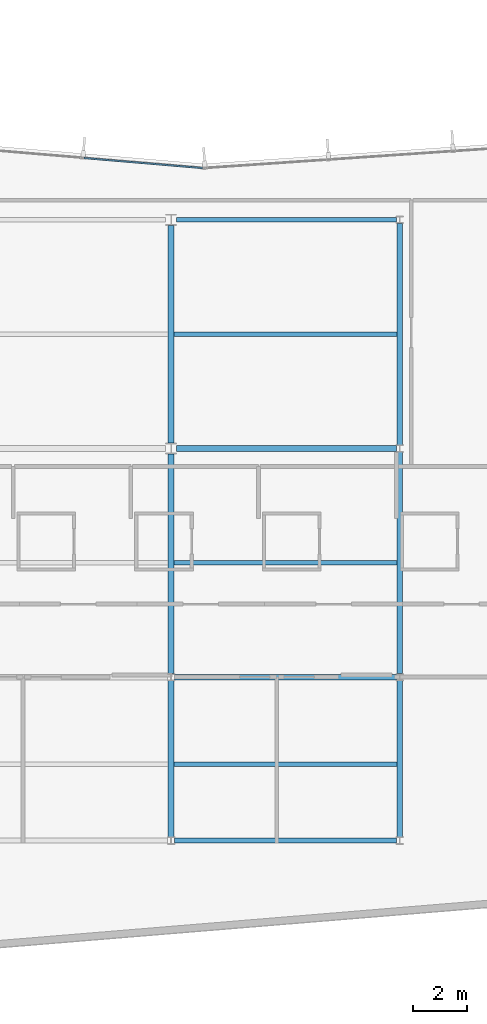
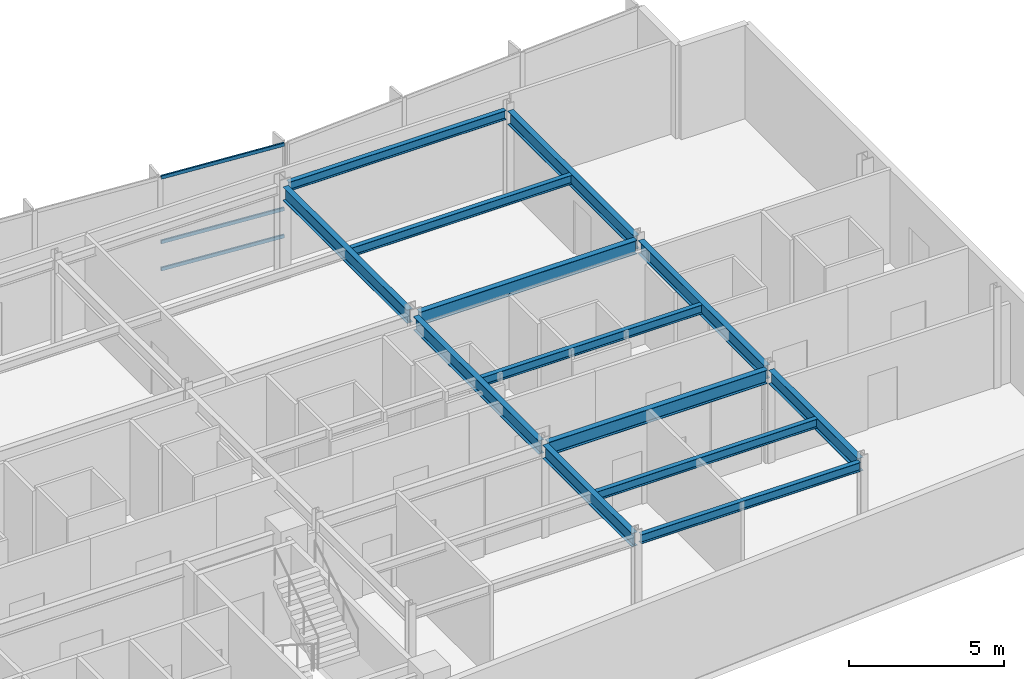
# One storey, part 6 of 15: 13 beams, 3 members, 1 element without a shape of its own.
"""IFC4 building model written with IfcOpenShell, lengths in metres."""

from ifc_helpers import new_model, si_unit, direction, frame, origin, origin_2d, place, context, subcontext, project, spatial, hollow_rectangle, i_section, extrude, material, layer, layer_set, material_profile, profile_set, type_object, element, aggregate, save


model = new_model("IFC4")

# Units and contexts
model_context = context("Model", 3, precision=1e-05, world=origin(), true_north=direction((0.0, 1.0)))
body_context = subcontext(model_context, "Body", "Model", "MODEL_VIEW")
ifc_project = project(units=[si_unit("LENGTHUNIT", "METRE"), si_unit("AREAUNIT", "SQUARE_METRE"), si_unit("VOLUMEUNIT", "CUBIC_METRE"), si_unit("PLANEANGLEUNIT", "RADIAN"), si_unit("MASSUNIT", "GRAM", prefix="KILO")], contexts=[model_context])

# Site, building, storey
site_placement = place(None, origin())
site = spatial("IfcSite", under=ifc_project, at=site_placement, CompositionType="ELEMENT")
building_placement = place(site_placement, origin())
building = spatial("IfcBuilding", under=site, at=building_placement, Name="Varnakote Quay Hospital", CompositionType="ELEMENT")
storey_placement = place(building_placement, frame((0.0, 0.0, 231.60009765625)))
storey = spatial("IfcBuildingStorey", under=building, at=storey_placement, Name="L57", CompositionType="ELEMENT", Elevation=231.60009765625)

# Beams
ifc_material_1 = material(Name="Structural steel AS/NZS 3679.1 Grade 350 L0 (fy 340 MPa)", Category="steel")
ifc_material_profile_1 = material_profile(ifc_material_1, i_section(OverallWidth=0.208984375, OverallDepth=0.528076171875, WebThickness=0.009521484375, FlangeThickness=0.01318359375, FilletRadius=0.013916015625, at=origin_2d()), Name="530UB82.0")
ifc_profile_set_1 = profile_set([ifc_material_profile_1], Name="Structural steel AS/NZS 3679.1 Grade 350 L0 (fy 340 MPa)")
beam_type_1 = type_object("IfcBeamType", Name="BM-STL-530UB82-0", PredefinedType="BEAM", material=ifc_profile_set_1)
beam_1_placement = place(storey_placement, frame((33.60009765625, 6.1298828125, 3.406005859375), z_axis=(0.0, 1.0, 0.0), x_axis=(-1.0, 0.0, 0.0)))
element("IfcBeam", 1, at=beam_1_placement, inside=storey, type_object=beam_type_1, Name="L57 Primary Tie Beam", PredefinedType="BEAM", context=body_context, shape_type="SweptSolid", body=[
    extrude(i_section(OverallWidth=0.208984375, OverallDepth=0.528076171875, WebThickness=0.009521484375, FlangeThickness=0.01318359375, FilletRadius=0.013916015625, at=origin_2d()), origin(), (0.0, 0.0, 1.0), 5.740234375),
])
beam_2_placement = place(storey_placement, frame((33.60009765625, 12.1298828125, 3.406005859375), z_axis=(0.0, 1.0, 0.0), x_axis=(-1.0, 0.0, 0.0)))
element("IfcBeam", 2, at=beam_2_placement, inside=storey, type_object=beam_type_1, Name="L57 Primary Tie Beam", PredefinedType="BEAM", context=body_context, shape_type="SweptSolid", body=[
    extrude(i_section(OverallWidth=0.208984375, OverallDepth=0.528076171875, WebThickness=0.009521484375, FlangeThickness=0.01318359375, FilletRadius=0.013916015625, at=origin_2d()), origin(), (0.0, 0.0, 1.0), 8.068115234375),
])
beam_3_placement = place(storey_placement, frame((33.60009765625, 20.60205078125, 3.406005859375), z_axis=(0.0, 1.0, 0.0), x_axis=(-1.0, 0.0, 0.0)))
element("IfcBeam", 3, at=beam_3_placement, inside=storey, type_object=beam_type_1, Name="L57 Primary Tie Beam", PredefinedType="BEAM", context=body_context, shape_type="SweptSolid", body=[
    extrude(i_section(OverallWidth=0.208984375, OverallDepth=0.528076171875, WebThickness=0.009521484375, FlangeThickness=0.01318359375, FilletRadius=0.013916015625, at=origin_2d()), origin(), (0.0, 0.0, 1.0), 7.995849609375),
])
beam_4_placement = place(storey_placement, frame((42.0, 6.1298828125, 3.406005859375), z_axis=(0.0, 1.0, 0.0), x_axis=(-1.0, 0.0, 0.0)))
element("IfcBeam", 4, at=beam_4_placement, inside=storey, type_object=beam_type_1, Name="L57 Primary Tie Beam", PredefinedType="BEAM", context=body_context, shape_type="SweptSolid", body=[
    extrude(i_section(OverallWidth=0.208984375, OverallDepth=0.528076171875, WebThickness=0.009521484375, FlangeThickness=0.01318359375, FilletRadius=0.013916015625, at=origin_2d()), origin(), (0.0, 0.0, 1.0), 5.740234375),
])
beam_5_placement = place(storey_placement, frame((42.0, 12.1298828125, 3.406005859375), z_axis=(0.0, 1.0, 0.0), x_axis=(-1.0, 0.0, 0.0)))
element("IfcBeam", 5, at=beam_5_placement, inside=storey, type_object=beam_type_1, Name="L57 Primary Tie Beam", PredefinedType="BEAM", context=body_context, shape_type="SweptSolid", body=[
    extrude(i_section(OverallWidth=0.208984375, OverallDepth=0.528076171875, WebThickness=0.009521484375, FlangeThickness=0.01318359375, FilletRadius=0.013916015625, at=origin_2d()), origin(), (0.0, 0.0, 1.0), 8.14013671875),
])
beam_6_placement = place(storey_placement, frame((42.0, 20.530029296875, 3.406005859375), z_axis=(0.0, 1.0, 0.0), x_axis=(-1.0, 0.0, 0.0)))
element("IfcBeam", 6, at=beam_6_placement, inside=storey, type_object=beam_type_1, Name="L57 Primary Tie Beam", PredefinedType="BEAM", context=body_context, shape_type="SweptSolid", body=[
    extrude(i_section(OverallWidth=0.208984375, OverallDepth=0.528076171875, WebThickness=0.009521484375, FlangeThickness=0.01318359375, FilletRadius=0.013916015625, at=origin_2d()), origin(), (0.0, 0.0, 1.0), 8.139892578125),
])
ifc_material_2 = material(Name="Structural steel AS/NZS 3679.1 Grade 350 L0 (fy 340 MPa)", Category="steel")
ifc_material_profile_2 = material_profile(ifc_material_2, i_section(OverallWidth=0.208984375, OverallDepth=0.532958984375, WebThickness=0.01025390625, FlangeThickness=0.015625, FilletRadius=0.013916015625, at=origin_2d()), Name="530UB92.4")
ifc_profile_set_2 = profile_set([ifc_material_profile_2], Name="Structural steel AS/NZS 3679.1 Grade 350 L0 (fy 340 MPa)")
beam_type_2 = type_object("IfcBeamType", Name="BM-STL-530UB92-4", PredefinedType="BEAM", material=ifc_profile_set_2)
beam_7_placement = place(storey_placement, frame((33.72802734375, 12.0, 3.4033203125), z_axis=(1.0, 0.0, 0.0), x_axis=(0.0, 1.0, 0.0)))
element("IfcBeam", 7, at=beam_7_placement, inside=storey, type_object=beam_type_2, Name="L57 Primary Floor Beam", PredefinedType="BEAM", context=body_context, shape_type="SweptSolid", body=[
    extrude(i_section(OverallWidth=0.208984375, OverallDepth=0.532958984375, WebThickness=0.01025390625, FlangeThickness=0.015625, FilletRadius=0.013916015625, at=origin_2d()), origin(), (0.0, 0.0, 1.0), 8.14404296875),
])
beam_8_placement = place(storey_placement, frame((33.800048828125, 20.39990234375, 3.4033203125), z_axis=(1.0, 0.0, 0.0), x_axis=(0.0, 1.0, 0.0)))
element("IfcBeam", 8, at=beam_8_placement, inside=storey, type_object=beam_type_2, Name="L57 Primary Floor Beam", PredefinedType="BEAM", context=body_context, shape_type="SweptSolid", body=[
    extrude(i_section(OverallWidth=0.208984375, OverallDepth=0.532958984375, WebThickness=0.01025390625, FlangeThickness=0.015625, FilletRadius=0.013916015625, at=origin_2d()), origin(), (0.0, 0.0, 1.0), 8.072021484375),
])

# Curtain wall, members
ifc_material_3 = material(Name="Anodised aluminium 6063-T6 Bronze", Category="aluminium")
ifc_layer = layer(ifc_material_3, 0.219970703125)
ifc_layer_set = layer_set([ifc_layer], Name="Anodised aluminium 6063-T6 Bronze")
curtain_wall_type = type_object("IfcCurtainWallType", Name="CW-SYS-4", PredefinedType="NOTDEFINED", material=ifc_layer_set)
curtain_wall_placement = place(storey_placement, origin())
curtain_wall = element("IfcCurtainWall", 9, at=curtain_wall_placement, inside=storey, type_object=curtain_wall_type, Name="L57 Unitised Bronze Curtain Wall 2", PredefinedType="NOTDEFINED")
ifc_material_4 = material(Name="Anodised aluminium 6063-T6 Bronze", Category="aluminium")
ifc_material_profile_3 = material_profile(ifc_material_4, hollow_rectangle(XDim=0.06494140625, YDim=0.139892578125, WallThickness=0.00390625, InnerFilletRadius=0.00390625, OuterFilletRadius=0.007568359375, at=origin_2d()), Name="CW-TRAN-140x65")
ifc_profile_set_3 = profile_set([ifc_material_profile_3], Name="Anodised aluminium 6063-T6 Bronze")
member_type = type_object("IfcMemberType", Name="CW-TRAN-140x65", PredefinedType="USERDEFINED", material=ifc_profile_set_3)
member_1_placement = place(storey_placement, frame((34.75, 30.700927734375, 0.032470703125), z_axis=(-0.996453440464, 0.084145950507, 0.0), x_axis=(-0.084145950507, -0.996453440464, 0.0)))
member_1 = element("IfcMember", 10, at=member_1_placement, type_object=member_type, Name="-4-L57-2 transom 1.1", ObjectType="TRANSOM", PredefinedType="USERDEFINED", context=body_context, shape_type="SweptSolid", body=[
    extrude(hollow_rectangle(XDim=0.06494140625, YDim=0.139892578125, WallThickness=0.00390625, InnerFilletRadius=0.00390625, OuterFilletRadius=0.007568359375, at=origin_2d()), origin(), (0.0, 0.0, 1.0), 4.369384765625),
])
member_2_placement = place(storey_placement, frame((34.75, 30.700927734375, 1.099853515625), z_axis=(-0.996453440464, 0.084145950507, 0.0), x_axis=(-0.084145950507, -0.996453440464, 0.0)))
member_2 = element("IfcMember", 11, at=member_2_placement, type_object=member_type, Name="-4-L57-2 transom 1.2", ObjectType="TRANSOM", PredefinedType="USERDEFINED", context=body_context, shape_type="SweptSolid", body=[
    extrude(hollow_rectangle(XDim=0.06494140625, YDim=0.139892578125, WallThickness=0.00390625, InnerFilletRadius=0.00390625, OuterFilletRadius=0.007568359375, at=origin_2d()), origin(), (0.0, 0.0, 1.0), 4.369384765625),
])
member_3_placement = place(storey_placement, frame((34.75, 30.700927734375, 3.637451171875), z_axis=(-0.996453440464, 0.084145950507, 0.0), x_axis=(-0.084145950507, -0.996453440464, 0.0)))
member_3 = element("IfcMember", 12, at=member_3_placement, type_object=member_type, Name="-4-L57-2 transom 1.3", ObjectType="TRANSOM", PredefinedType="USERDEFINED", context=body_context, shape_type="SweptSolid", body=[
    extrude(hollow_rectangle(XDim=0.06494140625, YDim=0.139892578125, WallThickness=0.00390625, InnerFilletRadius=0.00390625, OuterFilletRadius=0.007568359375, at=origin_2d()), origin(), (0.0, 0.0, 1.0), 4.369384765625),
])
aggregate(curtain_wall, [member_1, member_2, member_3])

# Beams
ifc_material_5 = material(Name="Structural steel AS/NZS 3679.1 Grade 350 L0 (fy 340 MPa)", Category="steel")
ifc_material_profile_4 = material_profile(ifc_material_5, i_section(OverallWidth=0.1708984375, OverallDepth=0.35595703125, WebThickness=0.00732421875, FlangeThickness=0.011474609375, FilletRadius=0.011474609375, at=origin_2d()), Name="360UB50.7")
ifc_profile_set_4 = profile_set([ifc_material_profile_4], Name="Structural steel AS/NZS 3679.1 Grade 350 L0 (fy 340 MPa)")
beam_type_3 = type_object("IfcBeamType", Name="JST-STL-360UB50-7", PredefinedType="JOIST", material=ifc_profile_set_4)
for number, where, z_axis, x_axis, name in (
    (13, (33.70458984375, 8.800048828125, 3.491943359375), (1.0, 0.0, 0.0), (0.0, 1.0, 0.0), "L57 Composite Floor Joist"),
    (14, (33.70458984375, 16.199951171875, 3.491943359375), (1.0, 0.0, 0.0), (0.0, 1.0, 0.0), "L57 Composite Floor Joist"),
    (15, (33.70458984375, 24.60009765625, 3.491943359375), (1.0, 0.0, 0.0), (0.0, 1.0, 0.0), "L57 Composite Floor Joist"),
):
    element("IfcBeam", number, at=place(storey_placement, frame(where, z_axis=z_axis, x_axis=x_axis)), inside=storey, type_object=beam_type_3, Name=name, PredefinedType="JOIST", context=body_context, shape_type="SweptSolid", body=[
        extrude(i_section(OverallWidth=0.1708984375, OverallDepth=0.35595703125, WebThickness=0.00732421875, FlangeThickness=0.011474609375, FilletRadius=0.011474609375, at=origin_2d()), origin(), (0.0, 0.0, 1.0), 8.19091796875),
    ])
ifc_material_6 = material(Name="Structural steel AS/NZS 3679.1 Grade 350 L0 (fy 340 MPa)", Category="steel")
ifc_material_profile_5 = material_profile(ifc_material_6, i_section(OverallWidth=0.172119140625, OverallDepth=0.35888671875, WebThickness=0.008056640625, FlangeThickness=0.012939453125, FilletRadius=0.011474609375, at=origin_2d()), Name="360UB56.7")
ifc_profile_set_5 = profile_set([ifc_material_profile_5], Name="Structural steel AS/NZS 3679.1 Grade 350 L0 (fy 340 MPa)")
beam_type_4 = type_object("IfcBeamType", Name="SPN-STL-360UB56-7", PredefinedType="SPANDREL", material=ifc_profile_set_5)
beam_9_placement = place(storey_placement, frame((33.72802734375, 6.0, 3.490478515625), z_axis=(1.0, 0.0, 0.0), x_axis=(0.0, 1.0, 0.0)))
element("IfcBeam", 16, at=beam_9_placement, inside=storey, type_object=beam_type_4, Name="L57 Perimeter Spandrel Beam", PredefinedType="SPANDREL", context=body_context, shape_type="SweptSolid", body=[
    extrude(i_section(OverallWidth=0.172119140625, OverallDepth=0.35888671875, WebThickness=0.008056640625, FlangeThickness=0.012939453125, FilletRadius=0.011474609375, at=origin_2d()), origin(), (0.0, 0.0, 1.0), 8.14404296875),
])
beam_10_placement = place(storey_placement, frame((33.800048828125, 28.800048828125, 3.490478515625), z_axis=(1.0, 0.0, 0.0), x_axis=(0.0, 1.0, 0.0)))
element("IfcBeam", 17, at=beam_10_placement, inside=storey, type_object=beam_type_4, Name="L57 Perimeter Spandrel Beam", PredefinedType="SPANDREL", context=body_context, shape_type="SweptSolid", body=[
    extrude(i_section(OverallWidth=0.172119140625, OverallDepth=0.35888671875, WebThickness=0.008056640625, FlangeThickness=0.012939453125, FilletRadius=0.011474609375, at=origin_2d()), origin(), (0.0, 0.0, 1.0), 8.072021484375),
])

save(model, "model.ifc")
